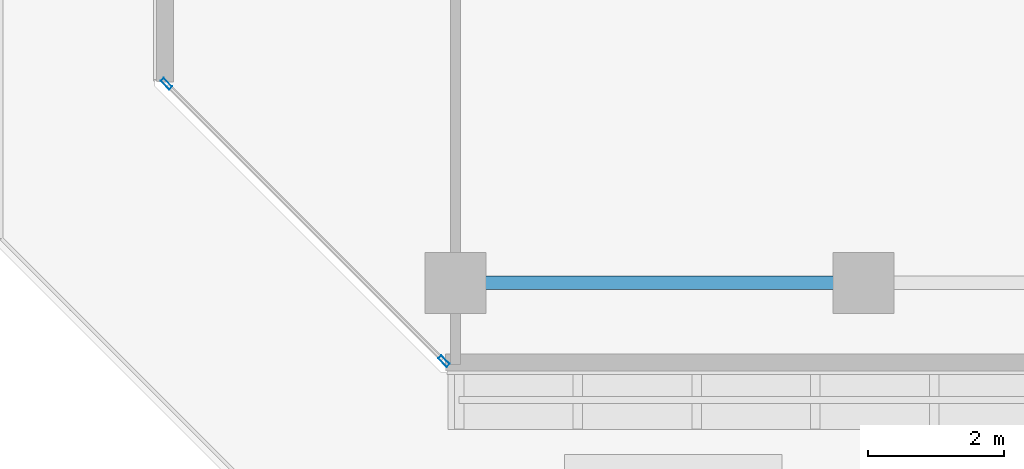
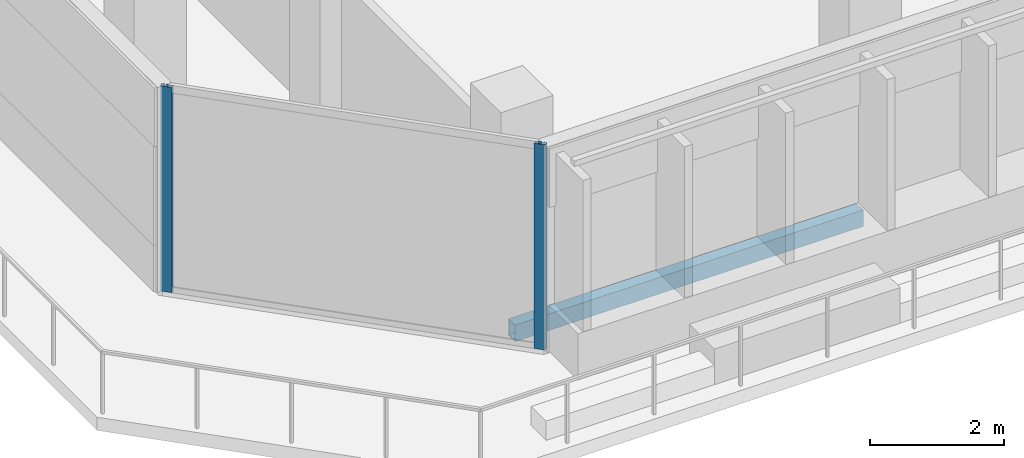
# One storey, part 2 of 30: 2 members, 1 beam, 1 element without a shape of its own.
"""IFC4 building model written with IfcOpenShell, lengths in metres."""

import ifcopenshell
import ifcopenshell.guid

model = None  # the IFC model being written
_history = None  # IfcOwnerHistory: only IFC2X3 demands one
_inside = {}  # id of a spatial element -> (the spatial element, [elements in it])
_under = {}  # id of a project, library or spatial element -> (it, [spatial elements below it])
_declared = {}  # id of a project -> (the project, [libraries it declares])
_typed = {}  # id of a type object -> (the type object, [elements of that type])
_made_of = {}  # id of a material, layer set ... -> (it, [elements and type objects made of it])


def new_model(schema):
    """Start an empty IFC model of exactly this schema.

    Asked for "IFC4X3", IfcOpenShell would pick the latest addendum, in which some entities
    have other attributes; the version numbers below select the first issue.
    IFC2X3 requires an IfcOwnerHistory on every rooted entity: one is made here for all.
    """
    global model, _history
    if schema == "IFC4X3":
        model = ifcopenshell.file(schema_version=(4, 3, 0, 0))
    else:
        model = ifcopenshell.file(schema=schema)
    _inside.clear()
    _under.clear()
    _declared.clear()
    _typed.clear()
    _made_of.clear()
    _history = None
    if model.schema == "IFC2X3":
        org = make("IfcOrganization", Name="unknown")
        user = make(
            "IfcPersonAndOrganization",
            ThePerson=make("IfcPerson", FamilyName="unknown"),
            TheOrganization=org,
        )
        app = make(
            "IfcApplication",
            ApplicationDeveloper=org,
            Version="unknown",
            ApplicationFullName="unknown",
            ApplicationIdentifier="unknown",
        )
        _history = make(
            "IfcOwnerHistory",
            OwningUser=user,
            OwningApplication=app,
            ChangeAction="ADDED",
            CreationDate=0,
        )
    return model


def make(cls, **values):
    """One entity of the class cls with the attributes given. An attribute that is None is left unset."""
    return model.create_entity(
        cls, **{name: value for name, value in values.items() if value is not None}
    )


def rooted(cls, **values):
    """An entity with a GlobalId (a new one), such as an element, a storey or a relation."""
    return make(cls, GlobalId=ifcopenshell.guid.new(), OwnerHistory=_history, **values)


def si_unit(unit_type, name, prefix=None):
    """IfcSIUnit, for example si_unit("LENGTHUNIT", "METRE", prefix="MILLI")."""
    return make("IfcSIUnit", UnitType=unit_type, Prefix=prefix, Name=name)


def assignment(units):
    """IfcUnitAssignment: the units of a project."""
    return None if units is None else make("IfcUnitAssignment", Units=units)


def point(xyz):
    """IfcCartesianPoint."""
    return None if xyz is None else make("IfcCartesianPoint", Coordinates=xyz)


def direction(xyz):
    """IfcDirection."""
    return None if xyz is None else make("IfcDirection", DirectionRatios=xyz)


def frame(location, z_axis=None, x_axis=None):
    """IfcAxis2Placement3D, a coordinate frame: its origin and axes. An axis left out is left unset."""
    return make(
        "IfcAxis2Placement3D",
        Location=point(location),
        Axis=direction(z_axis),
        RefDirection=direction(x_axis),
    )


def frame_2d(location, x_axis=None):
    """IfcAxis2Placement2D, a coordinate frame in the plane: its origin and x axis."""
    return make(
        "IfcAxis2Placement2D", Location=point(location), RefDirection=direction(x_axis)
    )


def origin():
    """The frame at (0, 0, 0) with its axes left unset."""
    return frame((0.0, 0.0, 0.0))


def origin_2d():
    """The frame at (0, 0) in the plane with its x axis left unset."""
    return frame_2d((0.0, 0.0))


def place(relative_to, where):
    """IfcLocalPlacement: puts the frame where relative to a parent placement (None: the world)."""
    return make(
        "IfcLocalPlacement", PlacementRelTo=relative_to, RelativePlacement=where
    )


def context(
    kind, dimensions, precision=None, world=None, true_north=None, identifier=None
):
    """IfcGeometricRepresentationContext, for example the 3D "Model" context."""
    return make(
        "IfcGeometricRepresentationContext",
        ContextIdentifier=identifier,
        ContextType=kind,
        CoordinateSpaceDimension=dimensions,
        Precision=precision,
        WorldCoordinateSystem=world,
        TrueNorth=true_north,
    )


def subcontext(parent, identifier, kind, view, scale=None):
    """IfcGeometricRepresentationSubContext, for example "Body" below "Model"."""
    return make(
        "IfcGeometricRepresentationSubContext",
        ContextIdentifier=identifier,
        ContextType=kind,
        ParentContext=parent,
        TargetScale=scale,
        TargetView=view,
    )


def project(units=None, contexts=None):
    """IfcProject with its units and contexts."""
    return rooted(
        "IfcProject",
        Name="project",
        RepresentationContexts=contexts,
        UnitsInContext=assignment(units),
    )


def spatial(cls, under=None, at=None, **own):
    """A site, building, storey or space (cls), placed at a placement, below another one or the project."""
    s = rooted(cls, ObjectPlacement=at, **own)
    if under is not None:
        _under.setdefault(under.id(), (under, []))[1].append(s)
    return s


def profile(cls, at=None, kind="AREA", **sizes):
    """A parametric profile (cls). Its sizes go by their IFC names, for example OverallWidth=200.0."""
    return make(cls, ProfileType=kind, Position=at, **sizes)


def hollow_rectangle(**sizes):
    """IfcRectangleHollowProfileDef."""
    return profile("IfcRectangleHollowProfileDef", **sizes)


def extrude(swept, where, along, depth):
    """IfcExtrudedAreaSolid: the profile swept, set in the frame where, extruded along a direction by depth."""
    return make(
        "IfcExtrudedAreaSolid",
        SweptArea=swept,
        Position=where,
        ExtrudedDirection=direction(along),
        Depth=depth,
    )


def shape(context_of_items, identifier, shape_type, items):
    """IfcShapeRepresentation: the items that make up one representation, for example the "Body"."""
    return make(
        "IfcShapeRepresentation",
        ContextOfItems=context_of_items,
        RepresentationIdentifier=identifier,
        RepresentationType=shape_type,
        Items=items,
    )


def material(Name=None, Category=None):
    """IfcMaterial."""
    return make("IfcMaterial", Name=Name, Category=Category)


def layer(
    of_material, thickness, ventilated=None, Name=None, Category=None, Priority=None
):
    """IfcMaterialLayer: one layer of a wall or slab, of a material (None: an air gap)."""
    return make(
        "IfcMaterialLayer",
        Material=of_material,
        LayerThickness=thickness,
        IsVentilated=ventilated,
        Name=Name,
        Category=Category,
        Priority=Priority,
    )


def layer_set(layers, Name=None):
    """IfcMaterialLayerSet."""
    return make("IfcMaterialLayerSet", MaterialLayers=layers, LayerSetName=Name)


def material_profile(
    of_material, cross_section, Name=None, Category=None, Priority=None
):
    """IfcMaterialProfile: a cross section and its material."""
    return make(
        "IfcMaterialProfile",
        Name=Name,
        Material=of_material,
        Profile=cross_section,
        Priority=Priority,
        Category=Category,
    )


def profile_set(profiles, Name=None, composite=None):
    """IfcMaterialProfileSet."""
    return make(
        "IfcMaterialProfileSet",
        Name=Name,
        MaterialProfiles=profiles,
        CompositeProfile=composite,
    )


def made_of(thing, what):
    """Note that an element or type object is made of a material, layer set ...; save() writes the relation."""
    if what is not None:
        _made_of.setdefault(what.id(), (what, []))[1].append(thing)
    return thing


def type_object(cls, material=None, **own):
    """A type object (cls), such as IfcWallType, which elements share."""
    return made_of(rooted(cls, **own), material)


def element(
    cls,
    number,
    at=None,
    inside=None,
    cuts=None,
    type_object=None,
    material=None,
    context=None,
    identifier="Body",
    shape_type=None,
    held_by="IfcProductDefinitionShape",
    body=None,
    shapes=None,
    **own,
):
    """One element of the class cls, such as IfcWall. Its Tag is "e" and its number.

    at: its placement. inside: the storey or other place that contains it. cuts: it is an
    opening in that element (IfcRelVoidsElement). A single representation is given by context,
    identifier, shape_type and body (its items); several are given by shapes. held_by: the class
    of the entity that holds the representations. save() writes the other relations.
    """
    e = rooted(cls, Tag="e%d" % number, ObjectPlacement=at, **own)
    if body is not None:
        shapes = [shape(context, identifier, shape_type, body)]
    if shapes is not None:
        e.Representation = make(held_by, Representations=shapes)
    if inside is not None:
        _inside.setdefault(inside.id(), (inside, []))[1].append(e)
    if cuts is not None:
        rooted(
            "IfcRelVoidsElement", RelatingBuildingElement=cuts, RelatedOpeningElement=e
        )
    if type_object is not None:
        _typed.setdefault(type_object.id(), (type_object, []))[1].append(e)
    return made_of(e, material)


def aggregate(whole, parts):
    """IfcRelAggregates: a whole, such as a stair, and the parts it consists of."""
    return rooted("IfcRelAggregates", RelatingObject=whole, RelatedObjects=parts)


def save(model, path):
    """Write the relations noted so far, then the file.

    IfcRelAggregates (storeys below a building ...), IfcRelContainedInSpatialStructure (elements
    in a storey), IfcRelDefinesByType, IfcRelAssociatesMaterial and IfcRelDeclares: one each for
    every whole, place, type object, material and project.
    """
    for whole, parts in _under.values():
        aggregate(whole, parts)
    for where, things in _inside.values():
        rooted(
            "IfcRelContainedInSpatialStructure",
            RelatedElements=things,
            RelatingStructure=where,
        )
    for kind, things in _typed.values():
        rooted("IfcRelDefinesByType", RelatedObjects=things, RelatingType=kind)
    for what, things in _made_of.values():
        rooted("IfcRelAssociatesMaterial", RelatedObjects=things, RelatingMaterial=what)
    for by, libraries in _declared.values():
        rooted("IfcRelDeclares", RelatingContext=by, RelatedDefinitions=libraries)
    model.write(path)


model = new_model("IFC4")

# Units and contexts
model_context = context("Model", 3, precision=1e-05, world=origin(), true_north=direction((0.0, 1.0)))
body_context = subcontext(model_context, "Body", "Model", "MODEL_VIEW")
ifc_project = project(units=[si_unit("LENGTHUNIT", "METRE"), si_unit("AREAUNIT", "SQUARE_METRE"), si_unit("VOLUMEUNIT", "CUBIC_METRE"), si_unit("PLANEANGLEUNIT", "RADIAN"), si_unit("MASSUNIT", "GRAM", prefix="KILO")], contexts=[model_context])

# Site, building, storey
site_placement = place(None, origin())
site = spatial("IfcSite", under=ifc_project, at=site_placement, CompositionType="ELEMENT")
building_placement = place(site_placement, origin())
building = spatial("IfcBuilding", under=site, at=building_placement, Name="Tanjung Sevakor Pilgrim Tower", CompositionType="ELEMENT")
storey_placement = place(building_placement, frame((0.0, 0.0, 128.0400390625)))
storey = spatial("IfcBuildingStorey", under=building, at=storey_placement, Name="L35", CompositionType="ELEMENT", Elevation=128.0400390625)

# Beam
ifc_material_1 = material(Name="Steel S355J2", Category="steel")
ifc_material_profile_1 = material_profile(ifc_material_1, hollow_rectangle(XDim=0.199951171875, YDim=0.300048828125, WallThickness=0.012451171875, at=origin_2d()))
ifc_profile_set_1 = profile_set([ifc_material_profile_1], Name="Steel S355J2")
beam_type = type_object("IfcBeamType", Name="BM-B-SP3-RHS_300x200x12.5", PredefinedType="SPANDREL", material=ifc_profile_set_1)
beam_placement = place(storey_placement, frame((24.0, 13.199951171875, -0.429931640625), z_axis=(1.0, 0.0, 0.0), x_axis=(0.0, 1.0, 0.0)))
element("IfcBeam", 1, at=beam_placement, inside=storey, type_object=beam_type, Name="L35 Spandrel MAIN S-01", PredefinedType="SPANDREL", context=body_context, shape_type="SweptSolid", body=[
    extrude(hollow_rectangle(XDim=0.199951171875, YDim=0.300048828125, WallThickness=0.012451171875, at=origin_2d()), origin(), (0.0, 0.0, 1.0), 6.0),
])

# Curtain wall, members
ifc_material_2 = material(Name="Aluminium 6063-T6 and Low-E Glass", Category="aluminium")
ifc_layer = layer(ifc_material_2, 0.179931640625)
ifc_layer_set = layer_set([ifc_layer], Name="CW-SYS-CHAM")
curtain_wall_type = type_object("IfcCurtainWallType", Name="CW-SYS-CHAM", PredefinedType="NOTDEFINED", material=ifc_layer_set)
curtain_wall_placement = place(storey_placement, origin())
curtain_wall = element("IfcCurtainWall", 2, at=curtain_wall_placement, inside=storey, type_object=curtain_wall_type, Name="L35 Curtain Wall CW-CHM-L35-MAIN-15", PredefinedType="NOTDEFINED")
ifc_material_3 = material(Name="Aluminium 6063-T6", Category="aluminium")
ifc_material_profile_2 = material_profile(ifc_material_3, hollow_rectangle(XDim=0.06494140625, YDim=0.179931640625, WallThickness=0.00390625, at=origin_2d()))
ifc_profile_set_2 = profile_set([ifc_material_profile_2], Name="Aluminium 6063-T6")
member_type = type_object("IfcMemberType", Name="TYPE-CWM-1", PredefinedType="MULLION", material=ifc_profile_set_2)
member_1_placement = place(storey_placement, frame((19.748046875, 16.12890625, 0.0), z_axis=(0.0, 0.0, 1.0), x_axis=(0.707106781187, 0.707106781187, 0.0)))
member_1 = element("IfcMember", 3, at=member_1_placement, type_object=member_type, Name="CW-CHM mullion 1", PredefinedType="MULLION", context=body_context, shape_type="SweptSolid", body=[
    extrude(hollow_rectangle(XDim=0.06494140625, YDim=0.179931640625, WallThickness=0.00390625, at=origin_2d()), origin(), (0.0, 0.0, 1.0), 3.739990234375),
])
member_2_placement = place(storey_placement, frame((23.828857421875, 12.048095703125, 0.0), z_axis=(0.0, 0.0, 1.0), x_axis=(0.707106781187, 0.707106781187, 0.0)))
member_2 = element("IfcMember", 4, at=member_2_placement, type_object=member_type, Name="CW-CHM mullion 2", PredefinedType="MULLION", context=body_context, shape_type="SweptSolid", body=[
    extrude(hollow_rectangle(XDim=0.06494140625, YDim=0.179931640625, WallThickness=0.00390625, at=origin_2d()), origin(), (0.0, 0.0, 1.0), 3.739990234375),
])
aggregate(curtain_wall, [member_1, member_2])

save(model, "model.ifc")
